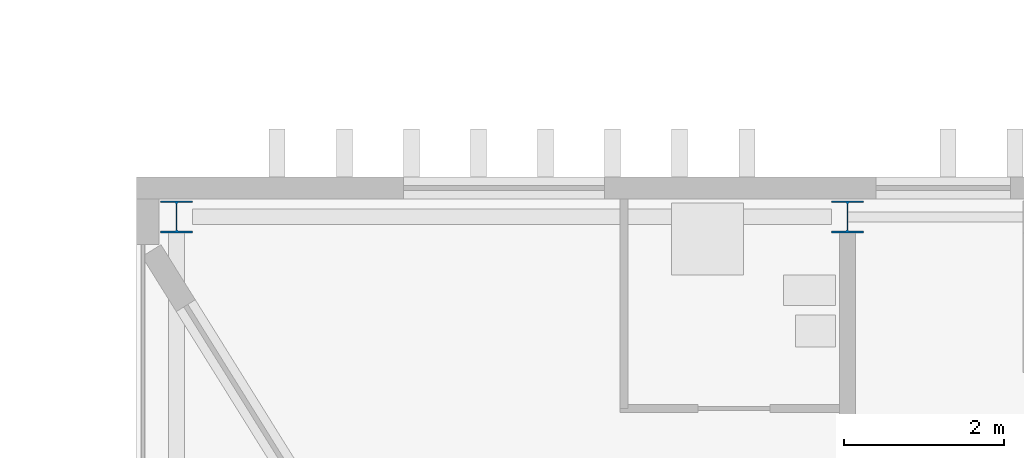
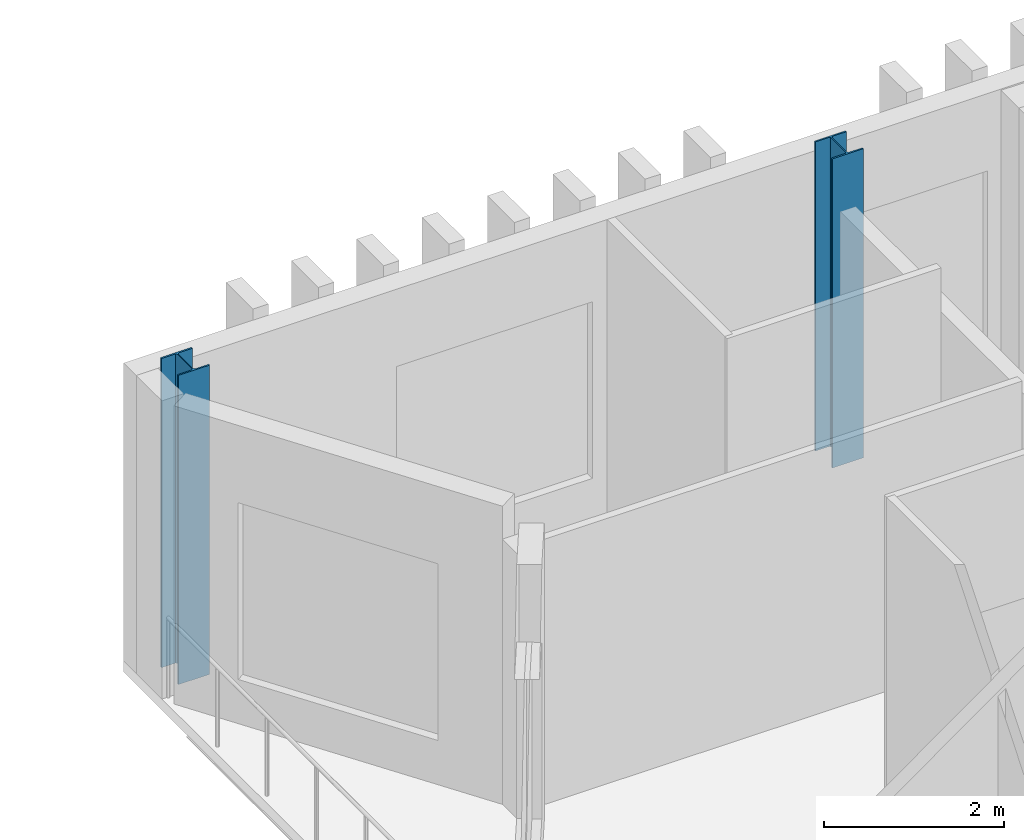
# One storey, part 6 of 18: 2 columns.
"""IFC4 building model written with IfcOpenShell, lengths in metres."""

from ifc_helpers import new_model, si_unit, direction, frame, origin, origin_2d, place, context, subcontext, project, spatial, i_section, extrude, material, material_profile, profile_set, type_object, element, save


model = new_model("IFC4")

# Units and contexts
model_context = context("Model", 3, precision=1e-05, world=origin(), true_north=direction((0.0, 1.0)))
body_context = subcontext(model_context, "Body", "Model", "MODEL_VIEW")
ifc_project = project(units=[si_unit("LENGTHUNIT", "METRE"), si_unit("AREAUNIT", "SQUARE_METRE"), si_unit("VOLUMEUNIT", "CUBIC_METRE"), si_unit("PLANEANGLEUNIT", "RADIAN"), si_unit("MASSUNIT", "GRAM", prefix="KILO")], contexts=[model_context])

# Site, building, storey
site_placement = place(None, origin())
site = spatial("IfcSite", under=ifc_project, at=site_placement, CompositionType="ELEMENT")
building_placement = place(site_placement, origin())
building = spatial("IfcBuilding", under=site, at=building_placement, Name="Cresset Court Congress Hotel", CompositionType="ELEMENT")
storey_placement = place(building_placement, frame((0.0, 0.0, 35.39990234375)))
storey = spatial("IfcBuildingStorey", under=building, at=storey_placement, Name="L08", CompositionType="ELEMENT", Elevation=35.39990234375)

# Columns
ifc_material = material(Name="Structural steel Q355B", Category="steel")
ifc_material_profile = material_profile(ifc_material, i_section(OverallWidth=0.39990234375, OverallDepth=0.39990234375, WebThickness=0.012939453125, FlangeThickness=0.02099609375, FilletRadius=0.02197265625, at=origin_2d()), Name="HW400x400x13x21")
ifc_profile_set = profile_set([ifc_material_profile], Name="Structural steel Q355B")
column_type = type_object("IfcColumnType", Name="Steel column HW400x400x13x21", PredefinedType="COLUMN", material=ifc_profile_set)
for number, where, z_axis, x_axis, name in (
    (1, (157.199951171875, 67.199951171875, 0.0), (0.0, 0.0, 1.0), (1.0, 0.0, 0.0), "Column L08 9-20"),
    (2, (165.60009765625, 67.199951171875, 0.0), (0.0, 0.0, 1.0), (1.0, 0.0, 0.0), "Column L08 9-21"),
):
    element("IfcColumn", number, at=place(storey_placement, frame(where, z_axis=z_axis, x_axis=x_axis)), inside=storey, type_object=column_type, Name=name, PredefinedType="COLUMN", context=body_context, shape_type="SweptSolid", body=[
        extrude(i_section(OverallWidth=0.39990234375, OverallDepth=0.39990234375, WebThickness=0.012939453125, FlangeThickness=0.02099609375, FilletRadius=0.02197265625, at=origin_2d()), origin(), (0.0, 0.0, 1.0), 4.2001953125),
    ])

save(model, "model.ifc")
